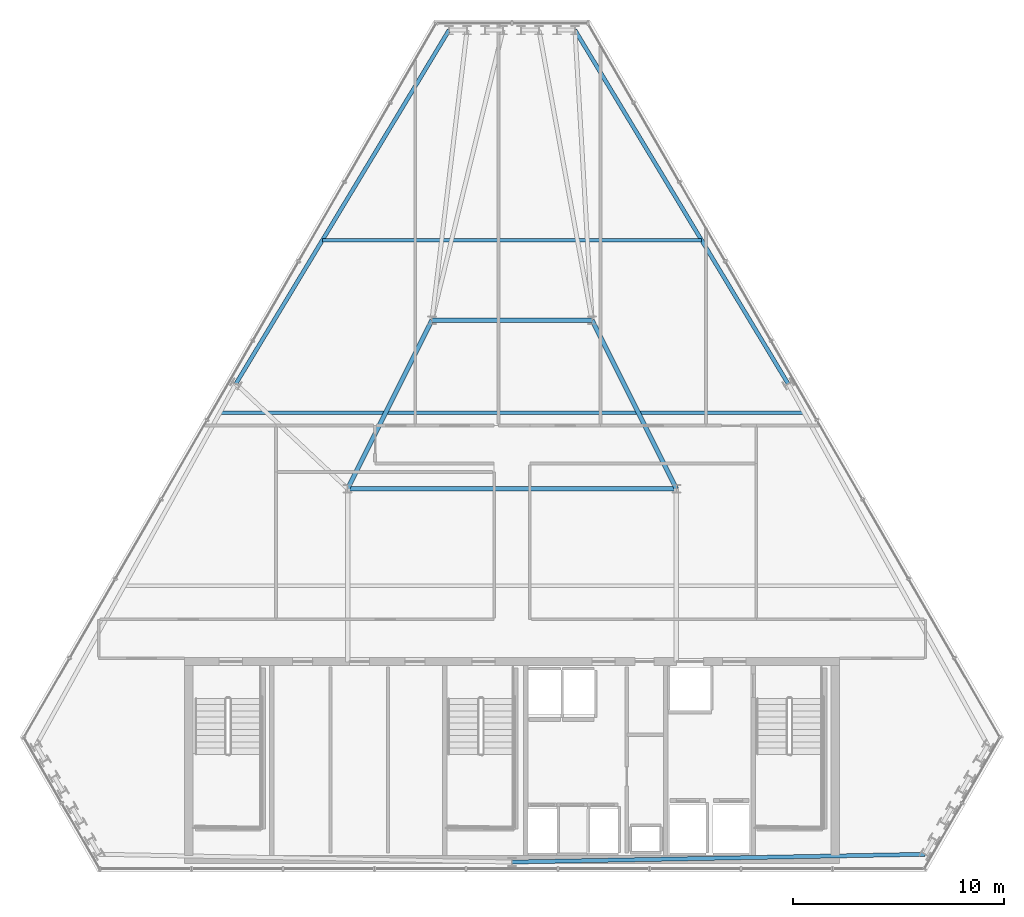
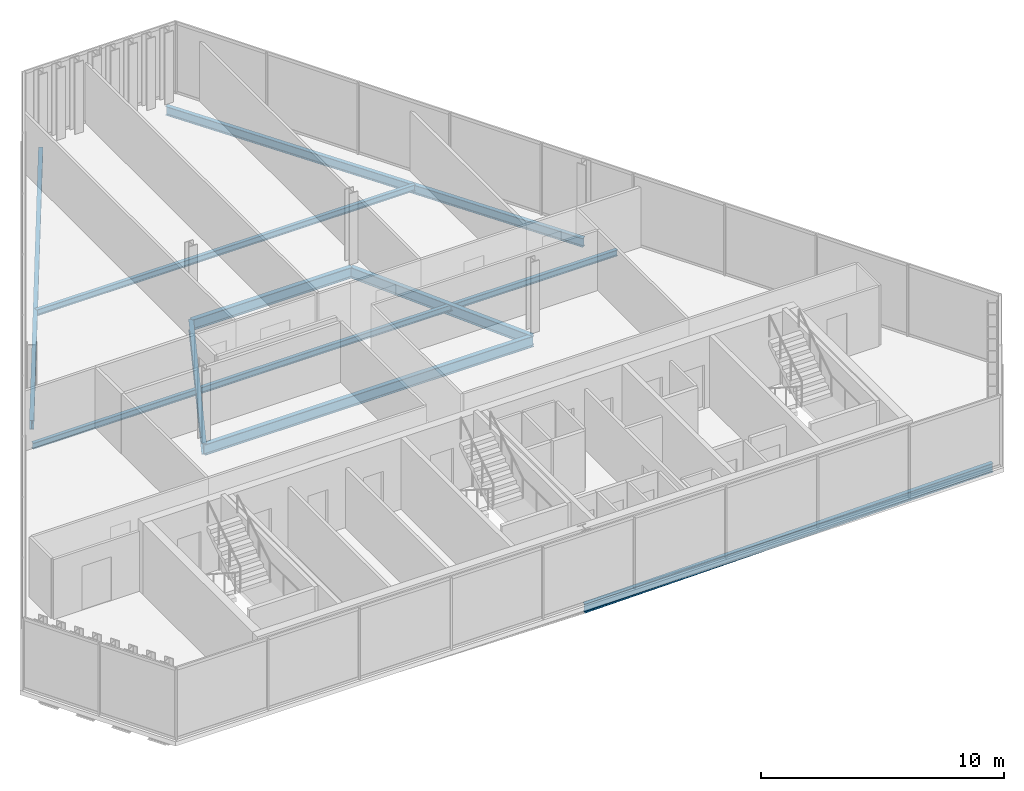
# One storey, part 13 of 29: 9 beams.
"""IFC4 building model written with IfcOpenShell, lengths in metres."""

from ifc_helpers import new_model, si_unit, direction, frame, origin, origin_2d, place, context, subcontext, project, spatial, i_section, extrude, material, material_profile, profile_set, type_object, element, save


model = new_model("IFC4")

# Units and contexts
model_context = context("Model", 3, precision=1e-05, world=origin(), true_north=direction((0.0, 1.0)))
body_context = subcontext(model_context, "Body", "Model", "MODEL_VIEW")
ifc_project = project(units=[si_unit("LENGTHUNIT", "METRE"), si_unit("AREAUNIT", "SQUARE_METRE"), si_unit("VOLUMEUNIT", "CUBIC_METRE"), si_unit("PLANEANGLEUNIT", "RADIAN"), si_unit("MASSUNIT", "GRAM", prefix="KILO")], contexts=[model_context])

# Site, building, storey
site_placement = place(None, origin())
site = spatial("IfcSite", under=ifc_project, at=site_placement, CompositionType="ELEMENT")
building_placement = place(site_placement, origin())
building = spatial("IfcBuilding", under=site, at=building_placement, Name="Ndaravel Arena Tower", CompositionType="ELEMENT")
storey_placement = place(building_placement, frame((0.0, 0.0, 233.199951171875)))
storey = spatial("IfcBuildingStorey", under=building, at=storey_placement, Name="L56", CompositionType="ELEMENT", Elevation=233.199951171875)

# Beams
ifc_material_1 = material(Name="Steel S355", Category="steel")
ifc_material_profile_1 = material_profile(ifc_material_1, i_section(OverallWidth=0.210693359375, OverallDepth=0.53955078125, WebThickness=0.01171875, FlangeThickness=0.018798828125, FilletRadius=0.0126953125, at=origin_2d()), Name="UB 533x210x109")
ifc_profile_set_1 = profile_set([ifc_material_profile_1], Name="Steel S355")
beam_type_1 = type_object("IfcBeamType", Name="BM-GIRD-UB533", PredefinedType="BEAM", material=ifc_profile_set_1)
beam_1_placement = place(storey_placement, frame((34.199951171875, 23.199951171875, -0.48974609375), z_axis=(1.0, 0.0, 0.0), x_axis=(0.0, 1.0, 0.0)))
element("IfcBeam", 1, at=beam_1_placement, inside=storey, type_object=beam_type_1, Name="L56 Spine Link Girder SLG-03", PredefinedType="BEAM", context=body_context, shape_type="SweptSolid", body=[
    extrude(i_section(OverallWidth=0.210693359375, OverallDepth=0.53955078125, WebThickness=0.01171875, FlangeThickness=0.018798828125, FilletRadius=0.0126953125, at=origin_2d()), origin(), (0.0, 0.0, 1.0), 15.60009765625),
])
for number, where, z_axis, x_axis, name in (
    (2, (34.199951171875, 23.199951171875, -0.48974609375), (0.4472135955, 0.894427191, 0.0), (-0.894427191, 0.4472135955, 0.0), "L56 Spine Link Girder SLG-04"),
    (3, (49.800048828125, 23.199951171875, -0.48974609375), (-0.4472135955, 0.894427191, 0.0), (-0.894427191, -0.4472135955, 0.0), "L56 Spine Link Girder SLG-05"),
):
    element("IfcBeam", number, at=place(storey_placement, frame(where, z_axis=z_axis, x_axis=x_axis)), inside=storey, type_object=beam_type_1, Name=name, PredefinedType="BEAM", context=body_context, shape_type="SweptSolid", body=[
        extrude(i_section(OverallWidth=0.210693359375, OverallDepth=0.53955078125, WebThickness=0.01171875, FlangeThickness=0.018798828125, FilletRadius=0.0126953125, at=origin_2d()), origin(), (0.0, 0.0, 1.0), 8.9443359375),
    ])
beam_2_placement = place(storey_placement, frame((38.199951171875, 31.199951171875, -0.48974609375), z_axis=(1.0, 0.0, 0.0), x_axis=(0.0, 1.0, 0.0)))
element("IfcBeam", 4, at=beam_2_placement, inside=storey, type_object=beam_type_1, Name="L56 Spine Link Girder SLG-06", PredefinedType="BEAM", context=body_context, shape_type="SweptSolid", body=[
    extrude(i_section(OverallWidth=0.210693359375, OverallDepth=0.53955078125, WebThickness=0.01171875, FlangeThickness=0.018798828125, FilletRadius=0.0126953125, at=origin_2d()), origin(), (0.0, 0.0, 1.0), 7.60009765625),
])
ifc_material_2 = material(Name="Steel S355", Category="steel")
ifc_material_profile_2 = material_profile(ifc_material_2, i_section(OverallWidth=0.165771484375, OverallDepth=0.306640625, WebThickness=0.006591796875, FlangeThickness=0.01171875, FilletRadius=0.0087890625, at=origin_2d()), Name="UB 305x165x46")
ifc_profile_set_2 = profile_set([ifc_material_profile_2], Name="Steel S355")
beam_type_2 = type_object("IfcBeamType", Name="BM-JOIST-UB305", PredefinedType="JOIST", material=ifc_profile_set_2)
beam_3_placement = place(storey_placement, frame((28.129638671875, 26.800048828125, -0.373291015625), z_axis=(1.0, 0.0, 0.0), x_axis=(0.0, 1.0, 0.0)))
element("IfcBeam", 5, at=beam_3_placement, inside=storey, type_object=beam_type_2, Name="L56 Composite Floor Joist FJ-02", PredefinedType="JOIST", context=body_context, shape_type="SweptSolid", body=[
    extrude(i_section(OverallWidth=0.165771484375, OverallDepth=0.306640625, WebThickness=0.006591796875, FlangeThickness=0.01171875, FilletRadius=0.0087890625, at=origin_2d()), origin(), (0.0, 0.0, 1.0), 27.74072265625),
])
beam_4_placement = place(storey_placement, frame((33.0029296875, 35.0, -0.373291015625), z_axis=(1.0, 0.0, 0.0), x_axis=(0.0, 1.0, 0.0)))
element("IfcBeam", 6, at=beam_4_placement, inside=storey, type_object=beam_type_2, Name="L56 Composite Floor Joist FJ-03", PredefinedType="JOIST", context=body_context, shape_type="SweptSolid", body=[
    extrude(i_section(OverallWidth=0.165771484375, OverallDepth=0.306640625, WebThickness=0.006591796875, FlangeThickness=0.01171875, FilletRadius=0.0087890625, at=origin_2d()), origin(), (0.0, 0.0, 1.0), 17.994140625),
])
ifc_material_3 = material(Name="Steel S355", Category="steel")
ifc_material_profile_3 = material_profile(ifc_material_3, i_section(OverallWidth=0.18994140625, OverallDepth=0.449951171875, WebThickness=0.009521484375, FlangeThickness=0.0146484375, FilletRadius=0.02099609375, at=origin_2d()), Name="IPE 450")
ifc_profile_set_3 = profile_set([ifc_material_profile_3], Name="Steel S355")
beam_type_3 = type_object("IfcBeamType", Name="BM-SPAN-IPE450", PredefinedType="SPANDREL", material=ifc_profile_set_3)
beam_5_placement = place(storey_placement, frame((42.0, 5.47998046875, -0.445068359375), z_axis=(0.999822176745, 0.018857754053, 0.0), x_axis=(-0.018857754053, 0.999822176745, 0.0)))
element("IfcBeam", 7, at=beam_5_placement, inside=storey, type_object=beam_type_3, Name="L56 Perimeter Spandrel Beam SP-01", PredefinedType="SPANDREL", context=body_context, shape_type="SweptSolid", body=[
    extrude(i_section(OverallWidth=0.18994140625, OverallDepth=0.449951171875, WebThickness=0.009521484375, FlangeThickness=0.0146484375, FilletRadius=0.02099609375, at=origin_2d()), origin(), (0.0, 0.0, 1.0), 19.600830078125),
])
for number, where, z_axis, x_axis, name in (
    (8, (55.10693359375, 28.181884765625, -0.445068359375), (-0.51624395282, 0.856441580715, 0.0), (-0.856441580715, -0.51624395282, 0.0), "L56 Perimeter Spandrel Beam SP-10"),
    (9, (39.011962890625, 44.968994140625, -0.445068359375), (-0.51624395282, -0.856441580715, 0.0), (0.856441580715, -0.51624395282, 0.0), "L56 Perimeter Spandrel Beam SP-18"),
):
    element("IfcBeam", number, at=place(storey_placement, frame(where, z_axis=z_axis, x_axis=x_axis)), inside=storey, type_object=beam_type_3, Name=name, PredefinedType="SPANDREL", context=body_context, shape_type="SweptSolid", body=[
        extrude(i_section(OverallWidth=0.18994140625, OverallDepth=0.449951171875, WebThickness=0.009521484375, FlangeThickness=0.0146484375, FilletRadius=0.02099609375, at=origin_2d()), origin(), (0.0, 0.0, 1.0), 19.60107421875),
    ])

save(model, "model.ifc")
